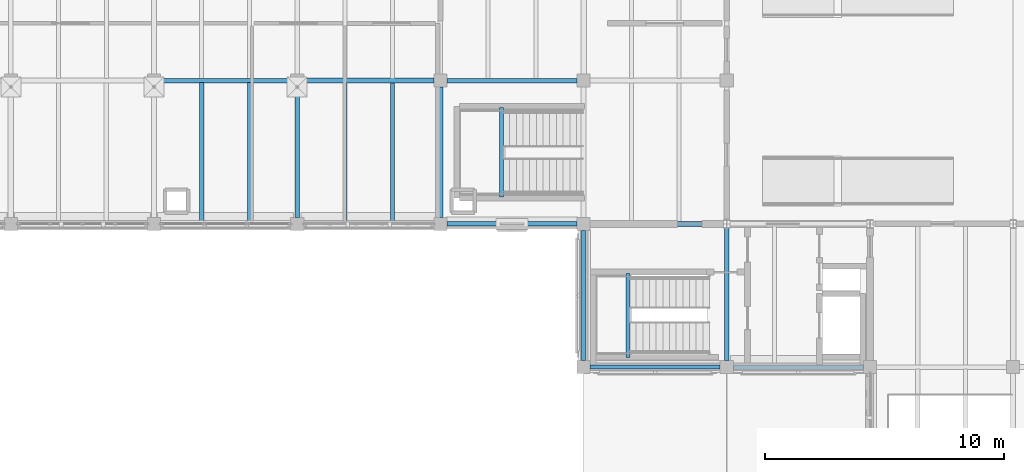
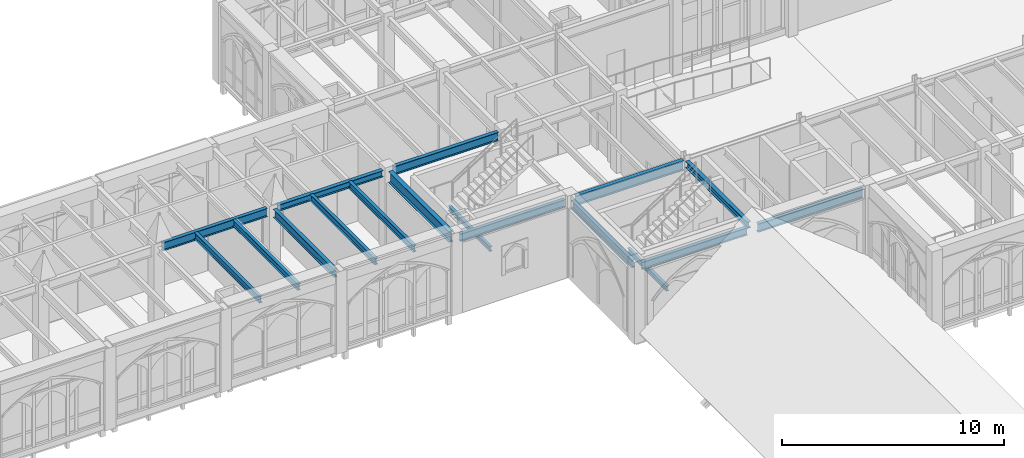
# One storey, part 23 of 108: 17 beams.
"""IFC4 building model written with IfcOpenShell, lengths in metres."""

from ifc_helpers import new_model, si_unit, direction, frame, origin, origin_2d, place, context, subcontext, project, spatial, i_section, extrude, material, material_profile, profile_set, type_object, element, save


model = new_model("IFC4")

# Units and contexts
model_context = context("Model", 3, precision=1e-05, world=origin(), true_north=direction((0.0, 1.0)))
body_context = subcontext(model_context, "Body", "Model", "MODEL_VIEW")
ifc_project = project(units=[si_unit("LENGTHUNIT", "METRE"), si_unit("AREAUNIT", "SQUARE_METRE"), si_unit("VOLUMEUNIT", "CUBIC_METRE"), si_unit("PLANEANGLEUNIT", "RADIAN"), si_unit("MASSUNIT", "GRAM", prefix="KILO")], contexts=[model_context])

# Site, building, storey
site_placement = place(None, origin())
site = spatial("IfcSite", under=ifc_project, at=site_placement, CompositionType="ELEMENT")
building_placement = place(site_placement, origin())
building = spatial("IfcBuilding", under=site, at=building_placement, Name="Cumevento Cable Car Station", CompositionType="ELEMENT")
storey_placement = place(building_placement, frame((0.0, 0.0, 13.5)))
storey = spatial("IfcBuildingStorey", under=building, at=storey_placement, Name="L04", CompositionType="ELEMENT", Elevation=13.5)

# Beams
ifc_material_1 = material(Name="Steel ASTM A572 Grade 50", Category="steel")
ifc_material_profile_1 = material_profile(ifc_material_1, i_section(OverallWidth=0.22802734375, OverallDepth=0.60791015625, WebThickness=0.01123046875, FlangeThickness=0.017333984375, at=origin_2d()), Name="W610x113.0")
ifc_profile_set_1 = profile_set([ifc_material_profile_1], Name="Steel ASTM A572 Grade 50")
beam_type_1 = type_object("IfcBeamType", Name="Structural Beam BM-02 W610x113.0", PredefinedType="BEAM", material=ifc_profile_set_1)
beam_1_placement = place(storey_placement, frame((52.0, 45.27490234375, 3.9599609375), z_axis=(0.0, 1.0, 0.0), x_axis=(-1.0, 0.0, 0.0)))
element("IfcBeam", 1, at=beam_1_placement, inside=storey, type_object=beam_type_1, Name="Beam BM-02 L04 #1402", PredefinedType="BEAM", context=body_context, shape_type="SweptSolid", body=[
    extrude(i_section(OverallWidth=0.22802734375, OverallDepth=0.60791015625, WebThickness=0.01123046875, FlangeThickness=0.017333984375, at=origin_2d()), origin(), (0.0, 0.0, 1.0), 5.4501953125),
])
ifc_material_2 = material(Name="Steel ASTM A572 Grade 50", Category="steel")
ifc_material_profile_2 = material_profile(ifc_material_2, i_section(OverallWidth=0.18994140625, OverallDepth=0.45703125, WebThickness=0.009033203125, FlangeThickness=0.014404296875, at=origin_2d()), Name="W460x74.0")
ifc_profile_set_2 = profile_set([ifc_material_profile_2], Name="Steel ASTM A572 Grade 50")
beam_type_2 = type_object("IfcBeamType", Name="Structural Beam BM-04 W460x74.0", PredefinedType="BEAM", material=ifc_profile_set_2)
for number, where, z_axis, x_axis, name in (
    (2, (40.27490234375, 51.0, 4.0595703125), (1.0, 0.0, 0.0), (0.0, 1.0, 0.0), "Beam BM-04 L04 #1385"),
    (3, (46.0, 45.27490234375, 4.0595703125), (0.0, 1.0, 0.0), (-1.0, 0.0, 0.0), "Beam BM-04 L04 #1400"),
):
    element("IfcBeam", number, at=place(storey_placement, frame(where, z_axis=z_axis, x_axis=x_axis)), inside=storey, type_object=beam_type_2, Name=name, PredefinedType="BEAM", context=body_context, shape_type="SweptSolid", body=[
        extrude(i_section(OverallWidth=0.18994140625, OverallDepth=0.45703125, WebThickness=0.009033203125, FlangeThickness=0.014404296875, at=origin_2d()), origin(), (0.0, 0.0, 1.0), 5.4501953125),
    ])
ifc_material_3 = material(Name="Steel ASTM A572 Grade 50", Category="steel")
ifc_material_profile_3 = material_profile(ifc_material_3, i_section(OverallWidth=0.205078125, OverallDepth=0.35400390625, WebThickness=0.009521484375, FlangeThickness=0.016845703125, at=origin_2d()), Name="W360x79.0")
ifc_profile_set_3 = profile_set([ifc_material_profile_3], Name="Steel ASTM A572 Grade 50")
beam_type_3 = type_object("IfcBeamType", Name="Structural Beam BM-05 W360x79.0", PredefinedType="BEAM", material=ifc_profile_set_3)
beam_2_placement = place(storey_placement, frame((64.0, 39.27490234375, 4.027099609375), z_axis=(0.0, 1.0, 0.0), x_axis=(-1.0, 0.0, 0.0)))
element("IfcBeam", 4, at=beam_2_placement, inside=storey, type_object=beam_type_3, Name="Beam BM-05 L04 #1347", PredefinedType="BEAM", context=body_context, shape_type="SweptSolid", body=[
    extrude(i_section(OverallWidth=0.205078125, OverallDepth=0.35400390625, WebThickness=0.009521484375, FlangeThickness=0.016845703125, at=origin_2d()), origin(), (0.0, 0.0, 1.0), 5.543701171875),
])
beam_3_placement = place(storey_placement, frame((46.27490234375, 51.0, 4.0869140625), z_axis=(1.0, 0.0, 0.0), x_axis=(0.0, 1.0, 0.0)))
element("IfcBeam", 5, at=beam_3_placement, inside=storey, type_object=beam_type_3, Name="Beam BM-05 L04 #1386", PredefinedType="BEAM", context=body_context, shape_type="SweptSolid", body=[
    extrude(i_section(OverallWidth=0.205078125, OverallDepth=0.35400390625, WebThickness=0.009521484375, FlangeThickness=0.016845703125, at=origin_2d()), origin(), (0.0, 0.0, 1.0), 5.4501953125),
])
ifc_material_4 = material(Name="Steel ASTM A572 Grade 50", Category="steel")
ifc_material_profile_4 = material_profile(ifc_material_4, i_section(OverallWidth=0.14794921875, OverallDepth=0.26611328125, WebThickness=0.007568359375, FlangeThickness=0.012939453125, at=origin_2d()), Name="W250x44.8")
ifc_profile_set_4 = profile_set([ifc_material_profile_4], Name="Steel ASTM A572 Grade 50")
beam_type_4 = type_object("IfcBeamType", Name="Structural Beam BM-07 W250x44.8", PredefinedType="BEAM", material=ifc_profile_set_4)
beam_4_placement = place(storey_placement, frame((59.860107421875, 39.39990234375, 1.909912109375), z_axis=(0.0, 1.0, 0.0), x_axis=(-1.0, 0.0, 0.0)))
element("IfcBeam", 6, at=beam_4_placement, inside=storey, type_object=beam_type_4, Name="Core Stair Half-Landing Trimmer ST-01-L04", PredefinedType="BEAM", context=body_context, shape_type="SweptSolid", body=[
    extrude(i_section(OverallWidth=0.14794921875, OverallDepth=0.26611328125, WebThickness=0.007568359375, FlangeThickness=0.012939453125, at=origin_2d()), origin(), (0.0, 0.0, 1.0), 3.52001953125),
])
beam_5_placement = place(storey_placement, frame((54.56005859375, 46.1201171875, 1.862060546875), z_axis=(0.0, 1.0, 0.0), x_axis=(-1.0, 0.0, 0.0)))
element("IfcBeam", 7, at=beam_5_placement, inside=storey, type_object=beam_type_4, Name="Stair Half-Landing Trimmer ST-13", PredefinedType="BEAM", context=body_context, shape_type="SweptSolid", body=[
    extrude(i_section(OverallWidth=0.14794921875, OverallDepth=0.26611328125, WebThickness=0.007568359375, FlangeThickness=0.012939453125, at=origin_2d()), origin(), (0.0, 0.0, 1.0), 3.759765625),
])
ifc_material_5 = material(Name="Steel ASTM A572 Grade 50", Category="steel")
ifc_material_profile_5 = material_profile(ifc_material_5, i_section(OverallWidth=0.179931640625, OverallDepth=0.4130859375, WebThickness=0.009765625, FlangeThickness=0.01611328125, at=origin_2d()), Name="W410x74.0")
ifc_profile_set_5 = profile_set([ifc_material_profile_5], Name="Steel ASTM A572 Grade 50")
beam_type_5 = type_object("IfcBeamType", Name="Structural Beam BM-09 W410x74.0", PredefinedType="BEAM", material=ifc_profile_set_5)
beam_6_placement = place(storey_placement, frame((58.27490234375, 39.0, 3.99755859375), z_axis=(1.0, 0.0, 0.0), x_axis=(0.0, 1.0, 0.0)))
element("IfcBeam", 8, at=beam_6_placement, inside=storey, type_object=beam_type_5, Name="Beam BM-09 L04 #1342", PredefinedType="BEAM", context=body_context, shape_type="SweptSolid", body=[
    extrude(i_section(OverallWidth=0.179931640625, OverallDepth=0.4130859375, WebThickness=0.009765625, FlangeThickness=0.01611328125, at=origin_2d()), origin(), (0.0, 0.0, 1.0), 5.4501953125),
])
ifc_material_6 = material(Name="Steel ASTM A572 Grade 50", Category="steel")
ifc_material_profile_6 = material_profile(ifc_material_6, i_section(OverallWidth=0.19189453125, OverallDepth=0.462890625, WebThickness=0.010498046875, FlangeThickness=0.017578125, at=origin_2d()), Name="W460x89.0")
ifc_profile_set_6 = profile_set([ifc_material_profile_6], Name="Steel ASTM A572 Grade 50")
beam_type_6 = type_object("IfcBeamType", Name="Structural Beam BM-10 W460x89.0", PredefinedType="BEAM", material=ifc_profile_set_6)
for number, where, z_axis, x_axis, name in (
    (9, (64.27490234375, 39.0, 3.972412109375), (1.0, 0.0, 0.0), (0.0, 1.0, 0.0), "Beam BM-10 L04 #1343"),
    (10, (52.27490234375, 51.0, 4.032470703125), (1.0, 0.0, 0.0), (0.0, 1.0, 0.0), "Beam BM-10 L04 #1415"),
):
    element("IfcBeam", number, at=place(storey_placement, frame(where, z_axis=z_axis, x_axis=x_axis)), inside=storey, type_object=beam_type_6, Name=name, PredefinedType="BEAM", context=body_context, shape_type="SweptSolid", body=[
        extrude(i_section(OverallWidth=0.19189453125, OverallDepth=0.462890625, WebThickness=0.010498046875, FlangeThickness=0.017578125, at=origin_2d()), origin(), (0.0, 0.0, 1.0), 5.4501953125),
    ])
ifc_material_7 = material(Name="Steel ASTM A572 Grade 50", Category="steel")
ifc_material_profile_7 = material_profile(ifc_material_7, i_section(OverallWidth=0.2109375, OverallDepth=0.5390625, WebThickness=0.01171875, FlangeThickness=0.018798828125, at=origin_2d()), Name="W530x109.0")
ifc_profile_set_7 = profile_set([ifc_material_profile_7], Name="Steel ASTM A572 Grade 50")
beam_type_7 = type_object("IfcBeamType", Name="Structural Beam BM-11 W530x109.0", PredefinedType="BEAM", material=ifc_profile_set_7)
beam_7_placement = place(storey_placement, frame((58.27490234375, 45.0, 3.9345703125), z_axis=(1.0, 0.0, 0.0), x_axis=(0.0, 1.0, 0.0)))
element("IfcBeam", 11, at=beam_7_placement, inside=storey, type_object=beam_type_7, Name="Beam BM-11 L04 #1344", PredefinedType="BEAM", context=body_context, shape_type="SweptSolid", body=[
    extrude(i_section(OverallWidth=0.2109375, OverallDepth=0.5390625, WebThickness=0.01171875, FlangeThickness=0.018798828125, at=origin_2d()), origin(), (0.0, 0.0, 1.0), 5.5966796875),
])
ifc_material_8 = material(Name="Steel ASTM A572 Grade 50", Category="steel")
ifc_material_profile_8 = material_profile(ifc_material_8, i_section(OverallWidth=0.1708984375, OverallDepth=0.35498046875, WebThickness=0.007080078125, FlangeThickness=0.01171875, at=origin_2d()), Name="W360x51.0")
ifc_profile_set_8 = profile_set([ifc_material_profile_8], Name="Steel ASTM A572 Grade 50")
beam_type_8 = type_object("IfcBeamType", Name="Structural Joist JS-01 W360x51.0", PredefinedType="JOIST", material=ifc_profile_set_8)
for number, where, z_axis, x_axis, name in (
    (12, (42.0, 45.076904296875, 4.110595703125), (0.0, 1.0, 0.0), (-1.0, 0.0, 0.0), "Composite Floor Joist JS-01 L04 #1523"),
    (13, (44.0, 45.076904296875, 4.110595703125), (0.0, 1.0, 0.0), (-1.0, 0.0, 0.0), "Composite Floor Joist JS-01 L04 #1525"),
):
    element("IfcBeam", number, at=place(storey_placement, frame(where, z_axis=z_axis, x_axis=x_axis)), inside=storey, type_object=beam_type_8, Name=name, PredefinedType="JOIST", context=body_context, shape_type="SweptSolid", body=[
        extrude(i_section(OverallWidth=0.1708984375, OverallDepth=0.35498046875, WebThickness=0.007080078125, FlangeThickness=0.01171875, at=origin_2d()), origin(), (0.0, 0.0, 1.0), 5.840087890625),
    ])
for number, where, z_axis, x_axis, name in (
    (14, (48.0, 45.076904296875, 4.110595703125), (0.0, 1.0, 0.0), (-1.0, 0.0, 0.0), "Composite Floor Joist JS-01 L04 #1527"),
    (15, (50.0, 45.076904296875, 4.110595703125), (0.0, 1.0, 0.0), (-1.0, 0.0, 0.0), "Composite Floor Joist JS-01 L04 #1529"),
):
    element("IfcBeam", number, at=place(storey_placement, frame(where, z_axis=z_axis, x_axis=x_axis)), inside=storey, type_object=beam_type_8, Name=name, PredefinedType="JOIST", context=body_context, shape_type="SweptSolid", body=[
        extrude(i_section(OverallWidth=0.1708984375, OverallDepth=0.35498046875, WebThickness=0.007080078125, FlangeThickness=0.01171875, at=origin_2d()), origin(), (0.0, 0.0, 1.0), 5.83251953125),
    ])
ifc_material_9 = material(Name="Steel ASTM A572 Grade 50", Category="steel")
ifc_material_profile_9 = material_profile(ifc_material_9, i_section(OverallWidth=0.177978515625, OverallDepth=0.406982421875, WebThickness=0.0078125, FlangeThickness=0.0126953125, at=origin_2d()), Name="W410x60.0")
ifc_profile_set_9 = profile_set([ifc_material_profile_9], Name="Steel ASTM A572 Grade 50")
beam_type_9 = type_object("IfcBeamType", Name="Structural Spandrel SP-01 W410x60.0", PredefinedType="SPANDREL", material=ifc_profile_set_9)
for number, where, z_axis, x_axis, name in (
    (16, (58.0, 39.27490234375, 4.00048828125), (0.0, 1.0, 0.0), (-1.0, 0.0, 0.0), "Beam SP-01 L04 #1346"),
    (17, (52.27490234375, 45.0, 4.00048828125), (1.0, 0.0, 0.0), (0.0, 1.0, 0.0), "Beam SP-01 L04 #1414"),
):
    element("IfcBeam", number, at=place(storey_placement, frame(where, z_axis=z_axis, x_axis=x_axis)), inside=storey, type_object=beam_type_9, Name=name, PredefinedType="SPANDREL", context=body_context, shape_type="SweptSolid", body=[
        extrude(i_section(OverallWidth=0.177978515625, OverallDepth=0.406982421875, WebThickness=0.0078125, FlangeThickness=0.0126953125, at=origin_2d()), origin(), (0.0, 0.0, 1.0), 5.4501953125),
    ])

save(model, "model.ifc")
